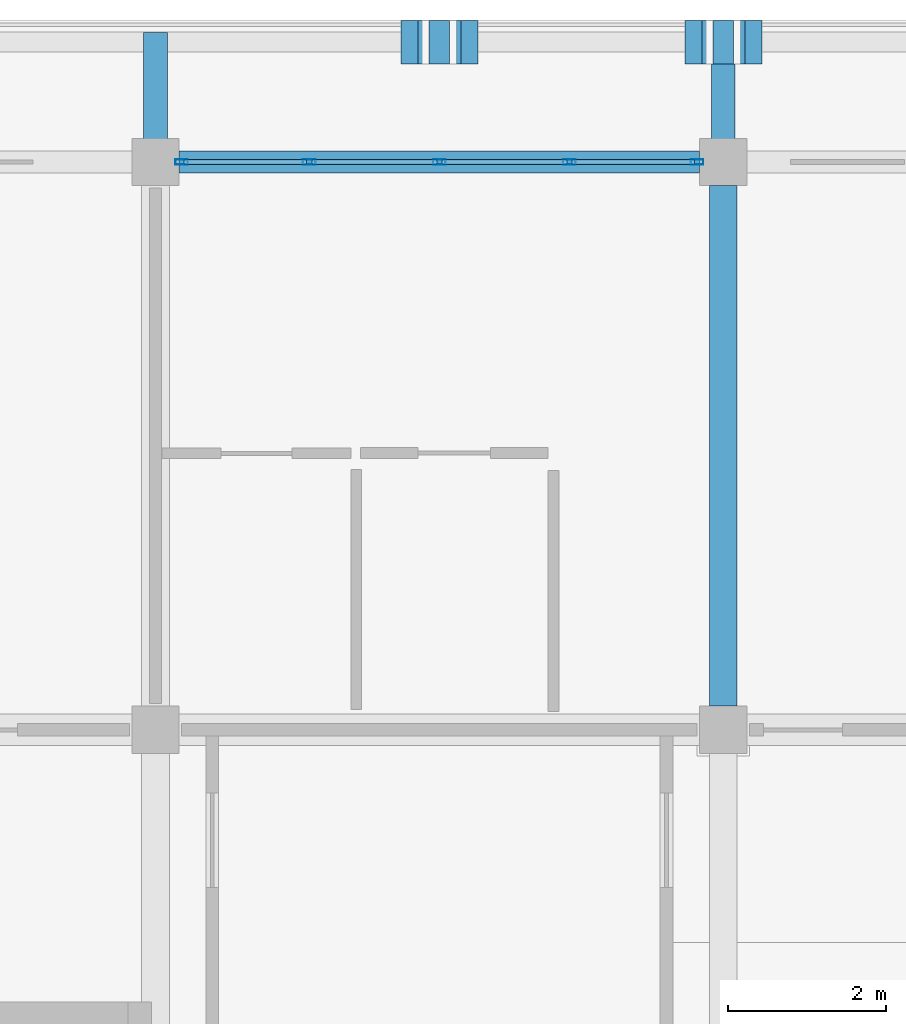
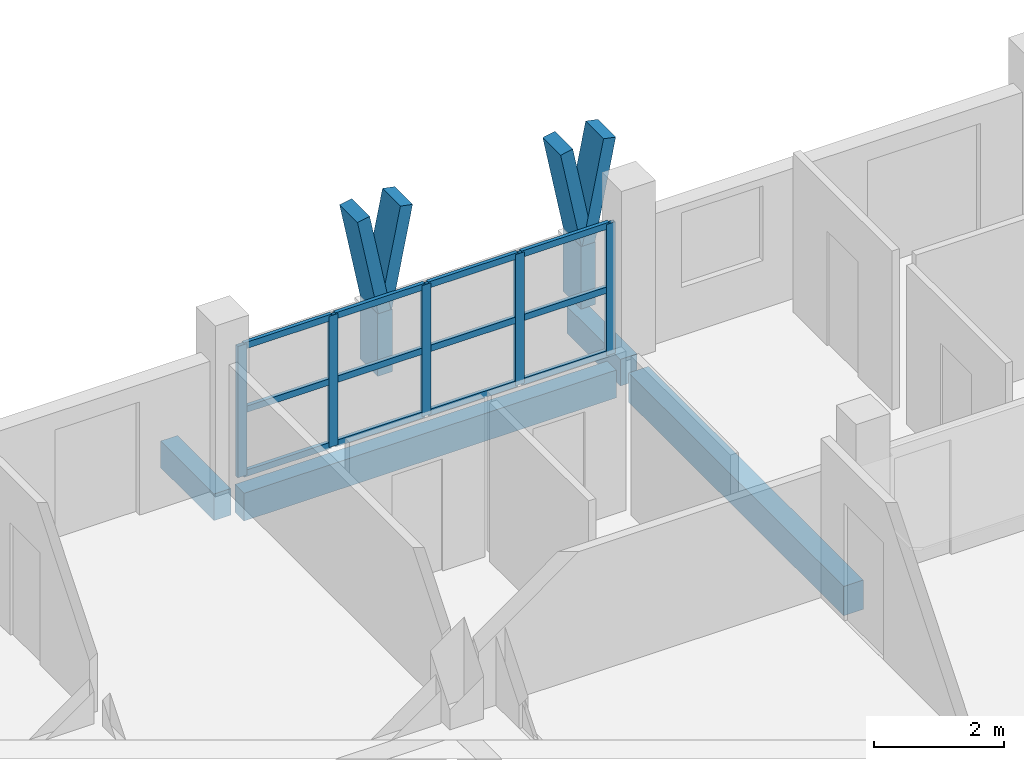
# One storey, part 31 of 76: 23 members, 4 beams, 1 element without a shape of its own.
"""IFC4 building model written with IfcOpenShell, lengths in metres."""

from ifc_helpers import new_model, si_unit, direction, frame, origin, origin_2d, place, context, subcontext, project, spatial, rectangle, hollow_rectangle, extrude, material, material_profile, profile_set, type_object, element, aggregate, save


model = new_model("IFC4")

# Units and contexts
model_context = context("Model", 3, precision=1e-05, world=origin(), true_north=direction((0.0, 1.0)))
body_context = subcontext(model_context, "Body", "Model", "MODEL_VIEW")
ifc_project = project(units=[si_unit("LENGTHUNIT", "METRE"), si_unit("AREAUNIT", "SQUARE_METRE"), si_unit("VOLUMEUNIT", "CUBIC_METRE"), si_unit("PLANEANGLEUNIT", "RADIAN"), si_unit("MASSUNIT", "GRAM", prefix="KILO")], contexts=[model_context])

# Site, building, storey
site_placement = place(None, origin())
site = spatial("IfcSite", under=ifc_project, at=site_placement, CompositionType="ELEMENT")
building_placement = place(site_placement, origin())
building = spatial("IfcBuilding", under=site, at=building_placement, Name="Suanplinth Sawtooth Commons", CompositionType="ELEMENT")
storey_placement = place(building_placement, frame((0.0, 0.0, 12.199951171875)))
storey = spatial("IfcBuildingStorey", under=building, at=storey_placement, Name="L03", CompositionType="ELEMENT", Elevation=12.199951171875)

# Beams
ifc_material_1 = material(Name="Precast concrete C40/50", Category="concrete")
ifc_material_profile_1 = material_profile(ifc_material_1, rectangle(XDim=0.35009765625, YDim=0.550048828125, at=origin_2d()), Name="PC-BM 350x550")
ifc_profile_set_1 = profile_set([ifc_material_profile_1], Name="Precast concrete C40/50")
beam_type_1 = type_object("IfcBeamType", Name="B-06", PredefinedType="BEAM", material=ifc_profile_set_1)
beam_1_placement = place(storey_placement, frame((172.800048828125, 115.5, -0.514892578125), z_axis=(0.0, 1.0, 0.0), x_axis=(-1.0, 0.0, 0.0)))
element("IfcBeam", 1, at=beam_1_placement, inside=storey, type_object=beam_type_1, Name="BMY-L03-B-24-16", PredefinedType="BEAM", context=body_context, shape_type="SweptSolid", body=[
    extrude(rectangle(XDim=0.35009765625, YDim=0.550048828125, at=origin_2d()), origin(), (0.0, 0.0, 1.0), 6.60009765625),
])
ifc_material_profile_2 = material_profile(ifc_material_1, rectangle(XDim=0.300048828125, YDim=0.5, at=origin_2d()), Name="PC-BM 300x500")
ifc_profile_set_2 = profile_set([ifc_material_profile_2], Name="Precast concrete C40/50")
beam_type_2 = type_object("IfcBeamType", Name="B-07", PredefinedType="BEAM", material=ifc_profile_set_2)
for number, where, z_axis, x_axis, name in (
    (2, (165.60009765625, 122.39990234375, -0.429931640625), (0.0, 1.0, 0.0), (-1.0, 0.0, 0.0), "Balcony Outrigger L03-B-N-23"),
    (3, (172.800048828125, 122.39990234375, -0.429931640625), (0.0, 1.0, 0.0), (-1.0, 0.0, 0.0), "Balcony Outrigger L03-B-N-24"),
):
    element("IfcBeam", number, at=place(storey_placement, frame(where, z_axis=z_axis, x_axis=x_axis)), inside=storey, type_object=beam_type_2, Name=name, PredefinedType="BEAM", context=body_context, shape_type="SweptSolid", body=[
        extrude(rectangle(XDim=0.300048828125, YDim=0.5, at=origin_2d()), origin(), (0.0, 0.0, 1.0), 1.64013671875),
    ])
ifc_material_profile_3 = material_profile(ifc_material_1, rectangle(XDim=0.280029296875, YDim=0.52001953125, at=origin_2d()), Name="PC-SP 280x520")
ifc_profile_set_3 = profile_set([ifc_material_profile_3], Name="Precast concrete C40/50")
beam_type_3 = type_object("IfcBeamType", Name="B-08", PredefinedType="SPANDREL", material=ifc_profile_set_3)
beam_2_placement = place(storey_placement, frame((165.89990234375, 122.39990234375, -0.5), z_axis=(1.0, 0.0, 0.0), x_axis=(0.0, 1.0, 0.0)))
element("IfcBeam", 4, at=beam_2_placement, inside=storey, type_object=beam_type_3, Name="BMX-L03-B-23-17", PredefinedType="SPANDREL", context=body_context, shape_type="SweptSolid", body=[
    extrude(rectangle(XDim=0.280029296875, YDim=0.52001953125, at=origin_2d()), origin(), (0.0, 0.0, 1.0), 6.60009765625),
])

# Members
ifc_material_2 = material(Name="Pigmented precast concrete C40/50", Category="concrete")
ifc_material_profile_4 = material_profile(ifc_material_2, rectangle(XDim=0.260009765625, YDim=0.550048828125, at=origin_2d()), Name="PC-FIN 260x550")
ifc_profile_set_4 = profile_set([ifc_material_profile_4], Name="Pigmented precast concrete C40/50")
member_type_1 = type_object("IfcMemberType", Name="M-09", PredefinedType="USERDEFINED", material=ifc_profile_set_4)
for number, where, z_axis, x_axis, name in (
    (5, (169.199951171875, 123.919921875, 0.0), (0.0, 0.0, 1.0), (1.0, 0.0, 0.0), "Y-Blade Stem L03-B-N-06"),
    (6, (172.800048828125, 123.919921875, 0.0), (0.0, 0.0, 1.0), (1.0, 0.0, 0.0), "Y-Blade Stem L03-B-N-07"),
):
    element("IfcMember", number, at=place(storey_placement, frame(where, z_axis=z_axis, x_axis=x_axis)), inside=storey, type_object=member_type_1, Name=name, ObjectType="SHADING FIN", PredefinedType="USERDEFINED", context=body_context, shape_type="SweptSolid", body=[
        extrude(rectangle(XDim=0.260009765625, YDim=0.550048828125, at=origin_2d()), origin(), (0.0, 0.0, 1.0), 1.170166015625),
    ])
ifc_material_profile_5 = material_profile(ifc_material_2, rectangle(XDim=0.219970703125, YDim=0.550048828125, at=origin_2d()), Name="PC-FIN 220x550")
ifc_profile_set_5 = profile_set([ifc_material_profile_5], Name="Pigmented precast concrete C40/50")
member_type_2 = type_object("IfcMemberType", Name="M-10", PredefinedType="USERDEFINED", material=ifc_profile_set_5)
member_1_placement = place(storey_placement, frame((169.199951171875, 123.919921875, 1.130126953125), z_axis=(-0.196309979414, 0.0, 0.980541886909), x_axis=(0.980541886909, 0.0, 0.196309979414)))
element("IfcMember", 7, at=member_1_placement, inside=storey, type_object=member_type_2, Name="Y-Blade Arm L L03-B-N-06", ObjectType="SHADING FIN", PredefinedType="USERDEFINED", context=body_context, shape_type="SweptSolid", body=[
    extrude(rectangle(XDim=0.219970703125, YDim=0.550048828125, at=origin_2d()), origin(), (0.0, 0.0, 1.0), 1.9375),
])
for number, where, z_axis, x_axis, name in (
    (8, (169.199951171875, 123.919921875, 1.130126953125), (0.196431120402, 0.0, 0.980517626021), (-0.980517626021, 0.0, 0.196431120402), "Y-Blade Arm R L03-B-N-06"),
    (9, (172.800048828125, 123.919921875, 1.130126953125), (-0.196431120402, 0.0, 0.980517626021), (0.980517626021, 0.0, 0.196431120402), "Y-Blade Arm L L03-B-N-07"),
):
    element("IfcMember", number, at=place(storey_placement, frame(where, z_axis=z_axis, x_axis=x_axis)), inside=storey, type_object=member_type_2, Name=name, ObjectType="SHADING FIN", PredefinedType="USERDEFINED", context=body_context, shape_type="SweptSolid", body=[
        extrude(rectangle(XDim=0.219970703125, YDim=0.550048828125, at=origin_2d()), origin(), (0.0, 0.0, 1.0), 1.937744140625),
    ])
member_2_placement = place(storey_placement, frame((172.800048828125, 123.919921875, 1.130126953125), z_axis=(0.196309979414, 0.0, 0.980541886909), x_axis=(-0.980541886909, 0.0, 0.196309979414)))
element("IfcMember", 10, at=member_2_placement, inside=storey, type_object=member_type_2, Name="Y-Blade Arm R L03-B-N-07", ObjectType="SHADING FIN", PredefinedType="USERDEFINED", context=body_context, shape_type="SweptSolid", body=[
    extrude(rectangle(XDim=0.219970703125, YDim=0.550048828125, at=origin_2d()), origin(), (0.0, 0.0, 1.0), 1.9375),
])

# Curtain wall, members
ifc_material_3 = material(Name="Anodized aluminium and low-E glazing", Category="aluminium")
curtain_wall_type = type_object("IfcCurtainWallType", Name="CW-06", PredefinedType="USERDEFINED", material=ifc_material_3)
curtain_wall_placement = place(storey_placement, origin())
curtain_wall = element("IfcCurtainWall", 11, at=curtain_wall_placement, inside=storey, type_object=curtain_wall_type, Name="Curtain Wall CW-L03-B-LOUNGE-23", ObjectType="CURTAIN WALL", PredefinedType="USERDEFINED")
ifc_material_4 = material(Name="Anodized aluminium 6063-T6", Category="aluminium")
ifc_material_profile_6 = material_profile(ifc_material_4, hollow_rectangle(XDim=0.06494140625, YDim=0.159912109375, WallThickness=0.00390625, at=origin_2d()), Name="ALU-MUL 65x160")
ifc_profile_set_6 = profile_set([ifc_material_profile_6], Name="Anodized aluminium 6063-T6")
member_type_3 = type_object("IfcMemberType", Name="M-13", PredefinedType="MULLION", material=ifc_profile_set_6)
member_3_placement = place(storey_placement, frame((165.9326171875, 122.39990234375, 0.0), z_axis=(0.0, 0.0, 1.0), x_axis=(0.0, 1.0, 0.0)))
member_3 = element("IfcMember", 12, at=member_3_placement, type_object=member_type_3, Name="CW-06 mullion 1", PredefinedType="MULLION", context=body_context, shape_type="SweptSolid", body=[
    extrude(hollow_rectangle(XDim=0.06494140625, YDim=0.159912109375, WallThickness=0.00390625, at=origin_2d()), origin(), (0.0, 0.0, 1.0), 2.4599609375),
])
member_4_placement = place(storey_placement, frame((167.550048828125, 122.39990234375, 0.0), z_axis=(0.0, 0.0, 1.0), x_axis=(0.0, 1.0, 0.0)))
member_4 = element("IfcMember", 13, at=member_4_placement, type_object=member_type_3, Name="CW-06 mullion 2", PredefinedType="MULLION", context=body_context, shape_type="SweptSolid", body=[
    extrude(hollow_rectangle(XDim=0.06494140625, YDim=0.159912109375, WallThickness=0.00390625, at=origin_2d()), origin(), (0.0, 0.0, 1.0), 2.4599609375),
])
member_5_placement = place(storey_placement, frame((169.199951171875, 122.39990234375, 0.0), z_axis=(0.0, 0.0, 1.0), x_axis=(0.0, 1.0, 0.0)))
member_5 = element("IfcMember", 14, at=member_5_placement, type_object=member_type_3, Name="CW-06 mullion 3", PredefinedType="MULLION", context=body_context, shape_type="SweptSolid", body=[
    extrude(hollow_rectangle(XDim=0.06494140625, YDim=0.159912109375, WallThickness=0.00390625, at=origin_2d()), origin(), (0.0, 0.0, 1.0), 2.4599609375),
])
member_6_placement = place(storey_placement, frame((170.85009765625, 122.39990234375, 0.0), z_axis=(0.0, 0.0, 1.0), x_axis=(0.0, 1.0, 0.0)))
member_6 = element("IfcMember", 15, at=member_6_placement, type_object=member_type_3, Name="CW-06 mullion 4", PredefinedType="MULLION", context=body_context, shape_type="SweptSolid", body=[
    extrude(hollow_rectangle(XDim=0.06494140625, YDim=0.159912109375, WallThickness=0.00390625, at=origin_2d()), origin(), (0.0, 0.0, 1.0), 2.4599609375),
])
member_7_placement = place(storey_placement, frame((172.467529296875, 122.39990234375, 0.0), z_axis=(0.0, 0.0, 1.0), x_axis=(0.0, 1.0, 0.0)))
member_7 = element("IfcMember", 16, at=member_7_placement, type_object=member_type_3, Name="CW-06 mullion 5", PredefinedType="MULLION", context=body_context, shape_type="SweptSolid", body=[
    extrude(hollow_rectangle(XDim=0.06494140625, YDim=0.159912109375, WallThickness=0.00390625, at=origin_2d()), origin(), (0.0, 0.0, 1.0), 2.4599609375),
])
ifc_material_profile_7 = material_profile(ifc_material_4, hollow_rectangle(XDim=0.06494140625, YDim=0.1201171875, WallThickness=0.00390625, at=origin_2d()), Name="ALU-TRN 65x120")
ifc_profile_set_7 = profile_set([ifc_material_profile_7], Name="Anodized aluminium 6063-T6")
member_type_4 = type_object("IfcMemberType", Name="M-15", PredefinedType="USERDEFINED", material=ifc_profile_set_7)
member_8_placement = place(storey_placement, frame((165.965087890625, 122.39990234375, 0.032470703125), z_axis=(1.0, 0.0, 0.0), x_axis=(0.0, 1.0, 0.0)))
member_8 = element("IfcMember", 17, at=member_8_placement, type_object=member_type_4, Name="CW-06 transom 1.1", ObjectType="TRANSOM", PredefinedType="USERDEFINED", context=body_context, shape_type="SweptSolid", body=[
    extrude(hollow_rectangle(XDim=0.06494140625, YDim=0.1201171875, WallThickness=0.00390625, at=origin_2d()), origin(), (0.0, 0.0, 1.0), 1.552490234375),
])
member_9_placement = place(storey_placement, frame((165.965087890625, 122.39990234375, 1.22998046875), z_axis=(1.0, 0.0, 0.0), x_axis=(0.0, 1.0, 0.0)))
member_9 = element("IfcMember", 18, at=member_9_placement, type_object=member_type_4, Name="CW-06 transom 1.2", ObjectType="TRANSOM", PredefinedType="USERDEFINED", context=body_context, shape_type="SweptSolid", body=[
    extrude(hollow_rectangle(XDim=0.06494140625, YDim=0.1201171875, WallThickness=0.00390625, at=origin_2d()), origin(), (0.0, 0.0, 1.0), 1.552490234375),
])
member_10_placement = place(storey_placement, frame((165.965087890625, 122.39990234375, 2.427490234375), z_axis=(1.0, 0.0, 0.0), x_axis=(0.0, 1.0, 0.0)))
member_10 = element("IfcMember", 19, at=member_10_placement, type_object=member_type_4, Name="CW-06 transom 1.3", ObjectType="TRANSOM", PredefinedType="USERDEFINED", context=body_context, shape_type="SweptSolid", body=[
    extrude(hollow_rectangle(XDim=0.06494140625, YDim=0.1201171875, WallThickness=0.00390625, at=origin_2d()), origin(), (0.0, 0.0, 1.0), 1.552490234375),
])
member_11_placement = place(storey_placement, frame((167.58251953125, 122.39990234375, 0.032470703125), z_axis=(1.0, 0.0, 0.0), x_axis=(0.0, 1.0, 0.0)))
member_11 = element("IfcMember", 20, at=member_11_placement, type_object=member_type_4, Name="CW-06 transom 2.1", ObjectType="TRANSOM", PredefinedType="USERDEFINED", context=body_context, shape_type="SweptSolid", body=[
    extrude(hollow_rectangle(XDim=0.06494140625, YDim=0.1201171875, WallThickness=0.00390625, at=origin_2d()), origin(), (0.0, 0.0, 1.0), 1.5849609375),
])
member_12_placement = place(storey_placement, frame((167.58251953125, 122.39990234375, 1.22998046875), z_axis=(1.0, 0.0, 0.0), x_axis=(0.0, 1.0, 0.0)))
member_12 = element("IfcMember", 21, at=member_12_placement, type_object=member_type_4, Name="CW-06 transom 2.2", ObjectType="TRANSOM", PredefinedType="USERDEFINED", context=body_context, shape_type="SweptSolid", body=[
    extrude(hollow_rectangle(XDim=0.06494140625, YDim=0.1201171875, WallThickness=0.00390625, at=origin_2d()), origin(), (0.0, 0.0, 1.0), 1.5849609375),
])
member_13_placement = place(storey_placement, frame((167.58251953125, 122.39990234375, 2.427490234375), z_axis=(1.0, 0.0, 0.0), x_axis=(0.0, 1.0, 0.0)))
member_13 = element("IfcMember", 22, at=member_13_placement, type_object=member_type_4, Name="CW-06 transom 2.3", ObjectType="TRANSOM", PredefinedType="USERDEFINED", context=body_context, shape_type="SweptSolid", body=[
    extrude(hollow_rectangle(XDim=0.06494140625, YDim=0.1201171875, WallThickness=0.00390625, at=origin_2d()), origin(), (0.0, 0.0, 1.0), 1.5849609375),
])
member_14_placement = place(storey_placement, frame((169.232421875, 122.39990234375, 0.032470703125), z_axis=(1.0, 0.0, 0.0), x_axis=(0.0, 1.0, 0.0)))
member_14 = element("IfcMember", 23, at=member_14_placement, type_object=member_type_4, Name="CW-06 transom 3.1", ObjectType="TRANSOM", PredefinedType="USERDEFINED", context=body_context, shape_type="SweptSolid", body=[
    extrude(hollow_rectangle(XDim=0.06494140625, YDim=0.1201171875, WallThickness=0.00390625, at=origin_2d()), origin(), (0.0, 0.0, 1.0), 1.5849609375),
])
member_15_placement = place(storey_placement, frame((169.232421875, 122.39990234375, 1.22998046875), z_axis=(1.0, 0.0, 0.0), x_axis=(0.0, 1.0, 0.0)))
member_15 = element("IfcMember", 24, at=member_15_placement, type_object=member_type_4, Name="CW-06 transom 3.2", ObjectType="TRANSOM", PredefinedType="USERDEFINED", context=body_context, shape_type="SweptSolid", body=[
    extrude(hollow_rectangle(XDim=0.06494140625, YDim=0.1201171875, WallThickness=0.00390625, at=origin_2d()), origin(), (0.0, 0.0, 1.0), 1.5849609375),
])
member_16_placement = place(storey_placement, frame((169.232421875, 122.39990234375, 2.427490234375), z_axis=(1.0, 0.0, 0.0), x_axis=(0.0, 1.0, 0.0)))
member_16 = element("IfcMember", 25, at=member_16_placement, type_object=member_type_4, Name="CW-06 transom 3.3", ObjectType="TRANSOM", PredefinedType="USERDEFINED", context=body_context, shape_type="SweptSolid", body=[
    extrude(hollow_rectangle(XDim=0.06494140625, YDim=0.1201171875, WallThickness=0.00390625, at=origin_2d()), origin(), (0.0, 0.0, 1.0), 1.5849609375),
])
member_17_placement = place(storey_placement, frame((170.882568359375, 122.39990234375, 0.032470703125), z_axis=(1.0, 0.0, 0.0), x_axis=(0.0, 1.0, 0.0)))
member_17 = element("IfcMember", 26, at=member_17_placement, type_object=member_type_4, Name="CW-06 transom 4.1", ObjectType="TRANSOM", PredefinedType="USERDEFINED", context=body_context, shape_type="SweptSolid", body=[
    extrude(hollow_rectangle(XDim=0.06494140625, YDim=0.1201171875, WallThickness=0.00390625, at=origin_2d()), origin(), (0.0, 0.0, 1.0), 1.552490234375),
])
member_18_placement = place(storey_placement, frame((170.882568359375, 122.39990234375, 1.22998046875), z_axis=(1.0, 0.0, 0.0), x_axis=(0.0, 1.0, 0.0)))
member_18 = element("IfcMember", 27, at=member_18_placement, type_object=member_type_4, Name="CW-06 transom 4.2", ObjectType="TRANSOM", PredefinedType="USERDEFINED", context=body_context, shape_type="SweptSolid", body=[
    extrude(hollow_rectangle(XDim=0.06494140625, YDim=0.1201171875, WallThickness=0.00390625, at=origin_2d()), origin(), (0.0, 0.0, 1.0), 1.552490234375),
])
member_19_placement = place(storey_placement, frame((170.882568359375, 122.39990234375, 2.427490234375), z_axis=(1.0, 0.0, 0.0), x_axis=(0.0, 1.0, 0.0)))
member_19 = element("IfcMember", 28, at=member_19_placement, type_object=member_type_4, Name="CW-06 transom 4.3", ObjectType="TRANSOM", PredefinedType="USERDEFINED", context=body_context, shape_type="SweptSolid", body=[
    extrude(hollow_rectangle(XDim=0.06494140625, YDim=0.1201171875, WallThickness=0.00390625, at=origin_2d()), origin(), (0.0, 0.0, 1.0), 1.552490234375),
])
aggregate(curtain_wall, [member_3, member_4, member_5, member_6, member_7, member_8, member_9, member_10, member_11, member_12, member_13, member_14, member_15, member_16, member_17, member_18, member_19])

save(model, "model.ifc")
